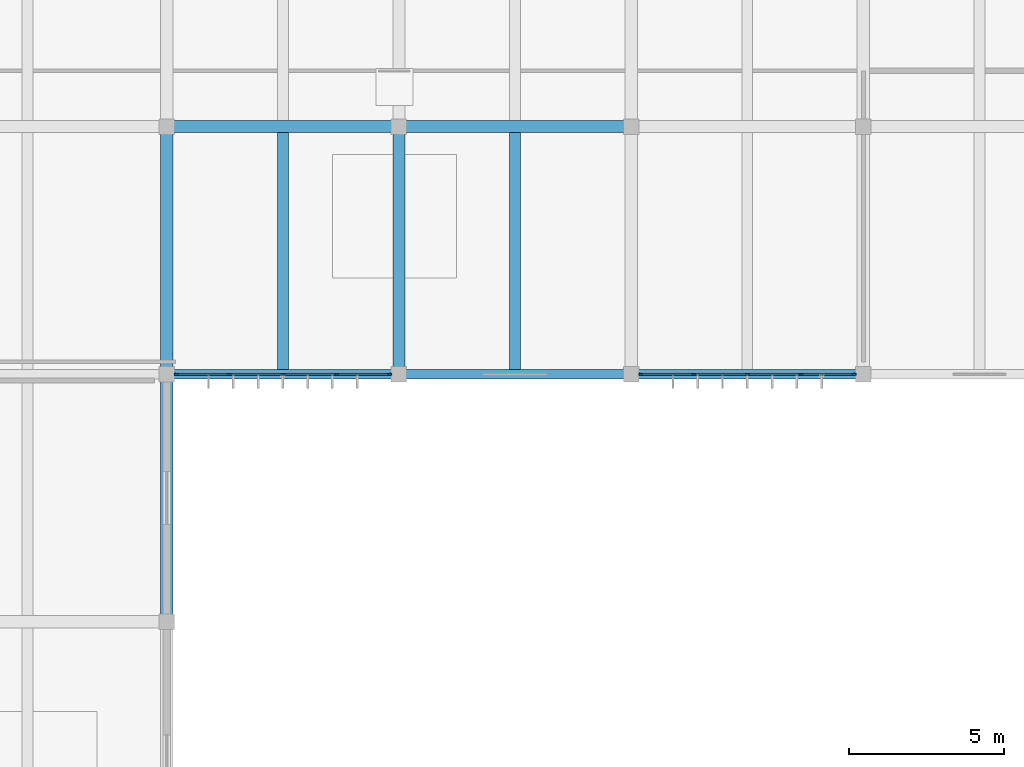
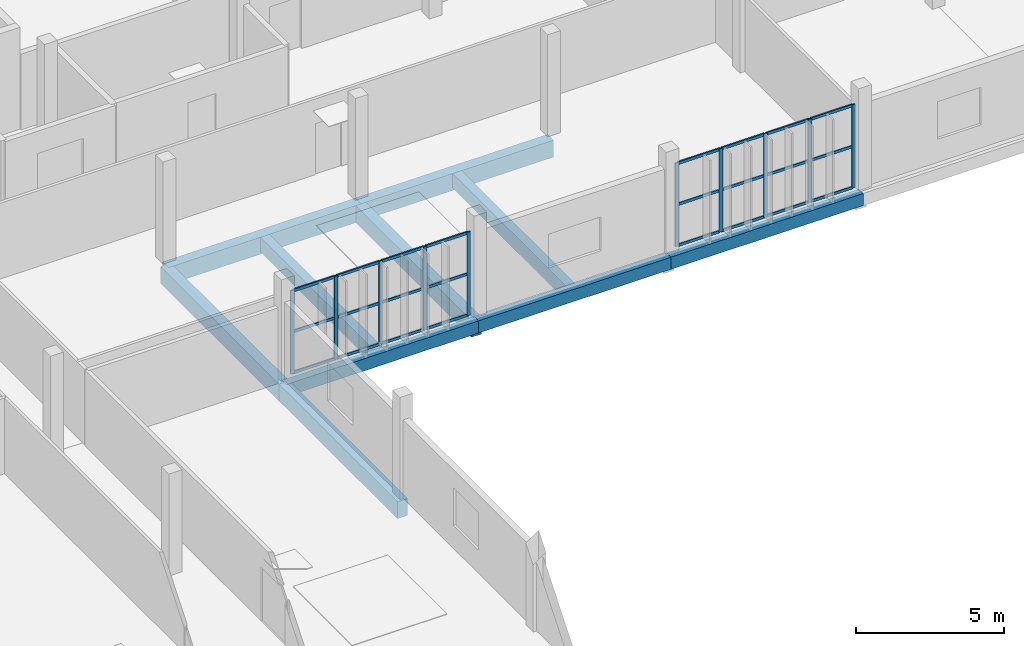
# One storey, part 5 of 27: 34 members, 10 beams, 2 elements without a shape of their own.
"""IFC4 building model written with IfcOpenShell, lengths in metres."""

from ifc_helpers import new_model, si_unit, direction, frame, origin, origin_2d, place, context, subcontext, project, spatial, rectangle, extrude, material, material_profile, profile_set, type_object, element, aggregate, save


model = new_model("IFC4")

# Units and contexts
model_context = context("Model", 3, precision=1e-05, world=origin(), true_north=direction((0.0, 1.0)))
body_context = subcontext(model_context, "Body", "Model", "MODEL_VIEW")
ifc_project = project(units=[si_unit("LENGTHUNIT", "METRE"), si_unit("AREAUNIT", "SQUARE_METRE"), si_unit("VOLUMEUNIT", "CUBIC_METRE"), si_unit("PLANEANGLEUNIT", "RADIAN"), si_unit("MASSUNIT", "GRAM", prefix="KILO")], contexts=[model_context])

# Site, building, storey
site_placement = place(None, origin())
site = spatial("IfcSite", under=ifc_project, at=site_placement, CompositionType="ELEMENT")
building_placement = place(site_placement, origin())
building = spatial("IfcBuilding", under=site, at=building_placement, Name="Vourika Railside Aquatics Centre", CompositionType="ELEMENT")
storey_placement = place(building_placement, frame((0.0, 0.0, 13.5)))
storey = spatial("IfcBuildingStorey", under=building, at=storey_placement, Name="L03", CompositionType="ELEMENT", Elevation=13.5)

# Beams
ifc_material_1 = material(Name="Concrete C35/45", Category="concrete")
ifc_material_profile_1 = material_profile(ifc_material_1, rectangle(XDim=0.39990234375, YDim=0.699951171875, at=origin_2d()), Name="RC 400x700")
ifc_profile_set_1 = profile_set([ifc_material_profile_1], Name="Concrete C35/45")
beam_type_1 = type_object("IfcBeamType", Name="BM-GIRD-400x700", PredefinedType="BEAM", material=ifc_profile_set_1)
for number, where, z_axis, x_axis, name in (
    (1, (36.0, 100.0, -0.610107421875), (1.0, 0.0, 0.0), (0.0, 1.0, 0.0), "Floor Beam GX-L03-057"),
    (2, (43.5, 100.0, -0.610107421875), (1.0, 0.0, 0.0), (0.0, 1.0, 0.0), "Floor Beam GX-L03-058"),
):
    element("IfcBeam", number, at=place(storey_placement, frame(where, z_axis=z_axis, x_axis=x_axis)), inside=storey, type_object=beam_type_1, Name=name, PredefinedType="BEAM", context=body_context, shape_type="SweptSolid", body=[
        extrude(rectangle(XDim=0.39990234375, YDim=0.699951171875, at=origin_2d()), origin(), (0.0, 0.0, 1.0), 7.5),
    ])
for number, where, z_axis, x_axis, name in (
    (3, (36.0, 84.0, -0.610107421875), (0.0, 1.0, 0.0), (-1.0, 0.0, 0.0), "Floor Girder GY-L03-124"),
    (4, (36.0, 92.0, -0.610107421875), (0.0, 1.0, 0.0), (-1.0, 0.0, 0.0), "Floor Girder GY-L03-125"),
    (5, (43.5, 92.0, -0.610107421875), (0.0, 1.0, 0.0), (-1.0, 0.0, 0.0), "Floor Girder GY-L03-128"),
):
    element("IfcBeam", number, at=place(storey_placement, frame(where, z_axis=z_axis, x_axis=x_axis)), inside=storey, type_object=beam_type_1, Name=name, PredefinedType="BEAM", context=body_context, shape_type="SweptSolid", body=[
        extrude(rectangle(XDim=0.39990234375, YDim=0.699951171875, at=origin_2d()), origin(), (0.0, 0.0, 1.0), 8.0),
    ])
ifc_material_profile_2 = material_profile(ifc_material_1, rectangle(XDim=0.35009765625, YDim=0.60009765625, at=origin_2d()), Name="RC 350x600")
ifc_profile_set_2 = profile_set([ifc_material_profile_2], Name="Concrete C35/45")
beam_type_2 = type_object("IfcBeamType", Name="BM-SEC-350x600", PredefinedType="JOIST", material=ifc_profile_set_2)
for number, where, z_axis, x_axis, name in (
    (6, (39.75, 92.14990234375, -0.56005859375), (0.0, 1.0, 0.0), (-1.0, 0.0, 0.0), "Secondary Joist JY-L03-216"),
    (7, (47.25, 92.14990234375, -0.56005859375), (0.0, 1.0, 0.0), (-1.0, 0.0, 0.0), "Secondary Joist JY-L03-217"),
):
    element("IfcBeam", number, at=place(storey_placement, frame(where, z_axis=z_axis, x_axis=x_axis)), inside=storey, type_object=beam_type_2, Name=name, PredefinedType="JOIST", context=body_context, shape_type="SweptSolid", body=[
        extrude(rectangle(XDim=0.35009765625, YDim=0.60009765625, at=origin_2d()), origin(), (0.0, 0.0, 1.0), 7.650146484375),
    ])
ifc_material_profile_3 = material_profile(ifc_material_1, rectangle(XDim=0.300048828125, YDim=0.5, at=origin_2d()), Name="RC 300x500")
ifc_profile_set_3 = profile_set([ifc_material_profile_3], Name="Concrete C35/45")
beam_type_3 = type_object("IfcBeamType", Name="BM-SPAN-300x500", PredefinedType="SPANDREL", material=ifc_profile_set_3)
for number, where, z_axis, x_axis, name in (
    (8, (36.0, 92.0, -0.510009765625), (1.0, 0.0, 0.0), (0.0, 1.0, 0.0), "Floor Beam GX-L03-038"),
    (9, (43.5, 92.0, -0.510009765625), (1.0, 0.0, 0.0), (0.0, 1.0, 0.0), "Floor Beam GX-L03-039"),
    (10, (51.0, 92.0, -0.510009765625), (1.0, 0.0, 0.0), (0.0, 1.0, 0.0), "Floor Beam GX-L03-040"),
):
    element("IfcBeam", number, at=place(storey_placement, frame(where, z_axis=z_axis, x_axis=x_axis)), inside=storey, type_object=beam_type_3, Name=name, PredefinedType="SPANDREL", context=body_context, shape_type="SweptSolid", body=[
        extrude(rectangle(XDim=0.300048828125, YDim=0.5, at=origin_2d()), origin(), (0.0, 0.0, 1.0), 7.5),
    ])

# Curtain wall, members
ifc_material_2 = material(Name="Anodized thermally broken aluminium", Category="aluminium")
curtain_wall_type = type_object("IfcCurtainWallType", Name="CW-FIT3", PredefinedType="NOTDEFINED", material=ifc_material_2)
curtain_wall_1_placement = place(storey_placement, origin())
curtain_wall_1 = element("IfcCurtainWall", 11, at=curtain_wall_1_placement, inside=storey, type_object=curtain_wall_type, Name="Courtyard Fitness Curtain Wall L03-1", PredefinedType="NOTDEFINED")
ifc_material_3 = material(Name="Anodized aluminium mullion", Category="aluminium")
ifc_material_profile_4 = material_profile(ifc_material_3, rectangle(XDim=0.05810546875, YDim=0.14208984375, at=origin_2d()), Name="ALU-M 58x142")
ifc_profile_set_4 = profile_set([ifc_material_profile_4], Name="Anodized aluminium mullion")
member_type_1 = type_object("IfcMemberType", Name="CWM-FIT3", PredefinedType="MULLION", material=ifc_profile_set_4)
member_1_placement = place(storey_placement, frame((36.30908203125, 92.0, 0.0), z_axis=(0.0, 0.0, 1.0), x_axis=(0.0, 1.0, 0.0)))
member_1 = element("IfcMember", 12, at=member_1_placement, type_object=member_type_1, Name="CW17 mullion 1", PredefinedType="MULLION", context=body_context, shape_type="SweptSolid", body=[
    extrude(rectangle(XDim=0.05810546875, YDim=0.14208984375, at=origin_2d()), origin(), (0.0, 0.0, 1.0), 3.43994140625),
])
member_2_placement = place(storey_placement, frame((38.014892578125, 92.0, 0.0), z_axis=(0.0, 0.0, 1.0), x_axis=(0.0, 1.0, 0.0)))
member_2 = element("IfcMember", 13, at=member_2_placement, type_object=member_type_1, Name="CW17 mullion 2", PredefinedType="MULLION", context=body_context, shape_type="SweptSolid", body=[
    extrude(rectangle(XDim=0.05810546875, YDim=0.14208984375, at=origin_2d()), origin(), (0.0, 0.0, 1.0), 3.43994140625),
])
member_3_placement = place(storey_placement, frame((39.75, 92.0, 0.0), z_axis=(0.0, 0.0, 1.0), x_axis=(0.0, 1.0, 0.0)))
member_3 = element("IfcMember", 14, at=member_3_placement, type_object=member_type_1, Name="CW17 mullion 3", PredefinedType="MULLION", context=body_context, shape_type="SweptSolid", body=[
    extrude(rectangle(XDim=0.05810546875, YDim=0.14208984375, at=origin_2d()), origin(), (0.0, 0.0, 1.0), 3.43994140625),
])
member_4_placement = place(storey_placement, frame((41.485107421875, 92.0, 0.0), z_axis=(0.0, 0.0, 1.0), x_axis=(0.0, 1.0, 0.0)))
member_4 = element("IfcMember", 15, at=member_4_placement, type_object=member_type_1, Name="CW17 mullion 4", PredefinedType="MULLION", context=body_context, shape_type="SweptSolid", body=[
    extrude(rectangle(XDim=0.05810546875, YDim=0.14208984375, at=origin_2d()), origin(), (0.0, 0.0, 1.0), 3.43994140625),
])
member_5_placement = place(storey_placement, frame((43.19091796875, 92.0, 0.0), z_axis=(0.0, 0.0, 1.0), x_axis=(0.0, 1.0, 0.0)))
member_5 = element("IfcMember", 16, at=member_5_placement, type_object=member_type_1, Name="CW17 mullion 5", PredefinedType="MULLION", context=body_context, shape_type="SweptSolid", body=[
    extrude(rectangle(XDim=0.05810546875, YDim=0.14208984375, at=origin_2d()), origin(), (0.0, 0.0, 1.0), 3.43994140625),
])

curtain_wall_2_placement = place(storey_placement, origin())
curtain_wall_2 = element("IfcCurtainWall", 17, at=curtain_wall_2_placement, inside=storey, type_object=curtain_wall_type, Name="Courtyard Fitness Curtain Wall L03-3", PredefinedType="NOTDEFINED")
member_6_placement = place(storey_placement, frame((51.30908203125, 92.0, 0.0), z_axis=(0.0, 0.0, 1.0), x_axis=(0.0, 1.0, 0.0)))
member_6 = element("IfcMember", 18, at=member_6_placement, type_object=member_type_1, Name="CW17 mullion 1", PredefinedType="MULLION", context=body_context, shape_type="SweptSolid", body=[
    extrude(rectangle(XDim=0.05810546875, YDim=0.14208984375, at=origin_2d()), origin(), (0.0, 0.0, 1.0), 3.43994140625),
])
member_7_placement = place(storey_placement, frame((53.014892578125, 92.0, 0.0), z_axis=(0.0, 0.0, 1.0), x_axis=(0.0, 1.0, 0.0)))
member_7 = element("IfcMember", 19, at=member_7_placement, type_object=member_type_1, Name="CW17 mullion 2", PredefinedType="MULLION", context=body_context, shape_type="SweptSolid", body=[
    extrude(rectangle(XDim=0.05810546875, YDim=0.14208984375, at=origin_2d()), origin(), (0.0, 0.0, 1.0), 3.43994140625),
])
member_8_placement = place(storey_placement, frame((54.75, 92.0, 0.0), z_axis=(0.0, 0.0, 1.0), x_axis=(0.0, 1.0, 0.0)))
member_8 = element("IfcMember", 20, at=member_8_placement, type_object=member_type_1, Name="CW17 mullion 3", PredefinedType="MULLION", context=body_context, shape_type="SweptSolid", body=[
    extrude(rectangle(XDim=0.05810546875, YDim=0.14208984375, at=origin_2d()), origin(), (0.0, 0.0, 1.0), 3.43994140625),
])
member_9_placement = place(storey_placement, frame((56.485107421875, 92.0, 0.0), z_axis=(0.0, 0.0, 1.0), x_axis=(0.0, 1.0, 0.0)))
member_9 = element("IfcMember", 21, at=member_9_placement, type_object=member_type_1, Name="CW17 mullion 4", PredefinedType="MULLION", context=body_context, shape_type="SweptSolid", body=[
    extrude(rectangle(XDim=0.05810546875, YDim=0.14208984375, at=origin_2d()), origin(), (0.0, 0.0, 1.0), 3.43994140625),
])
member_10_placement = place(storey_placement, frame((58.19091796875, 92.0, 0.0), z_axis=(0.0, 0.0, 1.0), x_axis=(0.0, 1.0, 0.0)))
member_10 = element("IfcMember", 22, at=member_10_placement, type_object=member_type_1, Name="CW17 mullion 5", PredefinedType="MULLION", context=body_context, shape_type="SweptSolid", body=[
    extrude(rectangle(XDim=0.05810546875, YDim=0.14208984375, at=origin_2d()), origin(), (0.0, 0.0, 1.0), 3.43994140625),
])

# Member
ifc_material_4 = material(Name="Anodized aluminium transom", Category="aluminium")
ifc_material_profile_5 = material_profile(ifc_material_4, rectangle(XDim=0.05810546875, YDim=0.112060546875, at=origin_2d()), Name="ALU-T 58x112")
ifc_profile_set_5 = profile_set([ifc_material_profile_5], Name="Anodized aluminium transom")
member_type_2 = type_object("IfcMemberType", Name="CWT-FIT3", PredefinedType="USERDEFINED", material=ifc_profile_set_5)
member_11_placement = place(storey_placement, frame((36.337890625, 92.0, 0.029052734375), z_axis=(1.0, 0.0, 0.0), x_axis=(0.0, 1.0, 0.0)))
member_11 = element("IfcMember", 23, at=member_11_placement, type_object=member_type_2, Name="CW17 transom 1.1", ObjectType="TRANSOM", PredefinedType="USERDEFINED", context=body_context, shape_type="SweptSolid", body=[
    extrude(rectangle(XDim=0.05810546875, YDim=0.112060546875, at=origin_2d()), origin(), (0.0, 0.0, 1.0), 1.648193359375),
])

member_12_placement = place(storey_placement, frame((36.337890625, 92.0, 1.719970703125), z_axis=(1.0, 0.0, 0.0), x_axis=(0.0, 1.0, 0.0)))
member_12 = element("IfcMember", 24, at=member_12_placement, type_object=member_type_2, Name="CW17 transom 1.2", ObjectType="TRANSOM", PredefinedType="USERDEFINED", context=body_context, shape_type="SweptSolid", body=[
    extrude(rectangle(XDim=0.05810546875, YDim=0.112060546875, at=origin_2d()), origin(), (0.0, 0.0, 1.0), 1.648193359375),
])

member_13_placement = place(storey_placement, frame((36.337890625, 92.0, 3.410888671875), z_axis=(1.0, 0.0, 0.0), x_axis=(0.0, 1.0, 0.0)))
member_13 = element("IfcMember", 25, at=member_13_placement, type_object=member_type_2, Name="CW17 transom 1.3", ObjectType="TRANSOM", PredefinedType="USERDEFINED", context=body_context, shape_type="SweptSolid", body=[
    extrude(rectangle(XDim=0.05810546875, YDim=0.112060546875, at=origin_2d()), origin(), (0.0, 0.0, 1.0), 1.648193359375),
])

member_14_placement = place(storey_placement, frame((38.0439453125, 92.0, 0.029052734375), z_axis=(1.0, 0.0, 0.0), x_axis=(0.0, 1.0, 0.0)))
member_14 = element("IfcMember", 26, at=member_14_placement, type_object=member_type_2, Name="CW17 transom 2.1", ObjectType="TRANSOM", PredefinedType="USERDEFINED", context=body_context, shape_type="SweptSolid", body=[
    extrude(rectangle(XDim=0.05810546875, YDim=0.112060546875, at=origin_2d()), origin(), (0.0, 0.0, 1.0), 1.677001953125),
])

member_15_placement = place(storey_placement, frame((38.0439453125, 92.0, 1.719970703125), z_axis=(1.0, 0.0, 0.0), x_axis=(0.0, 1.0, 0.0)))
member_15 = element("IfcMember", 27, at=member_15_placement, type_object=member_type_2, Name="CW17 transom 2.2", ObjectType="TRANSOM", PredefinedType="USERDEFINED", context=body_context, shape_type="SweptSolid", body=[
    extrude(rectangle(XDim=0.05810546875, YDim=0.112060546875, at=origin_2d()), origin(), (0.0, 0.0, 1.0), 1.677001953125),
])

member_16_placement = place(storey_placement, frame((38.0439453125, 92.0, 3.410888671875), z_axis=(1.0, 0.0, 0.0), x_axis=(0.0, 1.0, 0.0)))
member_16 = element("IfcMember", 28, at=member_16_placement, type_object=member_type_2, Name="CW17 transom 2.3", ObjectType="TRANSOM", PredefinedType="USERDEFINED", context=body_context, shape_type="SweptSolid", body=[
    extrude(rectangle(XDim=0.05810546875, YDim=0.112060546875, at=origin_2d()), origin(), (0.0, 0.0, 1.0), 1.677001953125),
])

member_17_placement = place(storey_placement, frame((39.779052734375, 92.0, 0.029052734375), z_axis=(1.0, 0.0, 0.0), x_axis=(0.0, 1.0, 0.0)))
member_17 = element("IfcMember", 29, at=member_17_placement, type_object=member_type_2, Name="CW17 transom 3.1", ObjectType="TRANSOM", PredefinedType="USERDEFINED", context=body_context, shape_type="SweptSolid", body=[
    extrude(rectangle(XDim=0.05810546875, YDim=0.112060546875, at=origin_2d()), origin(), (0.0, 0.0, 1.0), 1.677001953125),
])

member_18_placement = place(storey_placement, frame((39.779052734375, 92.0, 1.719970703125), z_axis=(1.0, 0.0, 0.0), x_axis=(0.0, 1.0, 0.0)))
member_18 = element("IfcMember", 30, at=member_18_placement, type_object=member_type_2, Name="CW17 transom 3.2", ObjectType="TRANSOM", PredefinedType="USERDEFINED", context=body_context, shape_type="SweptSolid", body=[
    extrude(rectangle(XDim=0.05810546875, YDim=0.112060546875, at=origin_2d()), origin(), (0.0, 0.0, 1.0), 1.677001953125),
])

member_19_placement = place(storey_placement, frame((39.779052734375, 92.0, 3.410888671875), z_axis=(1.0, 0.0, 0.0), x_axis=(0.0, 1.0, 0.0)))
member_19 = element("IfcMember", 31, at=member_19_placement, type_object=member_type_2, Name="CW17 transom 3.3", ObjectType="TRANSOM", PredefinedType="USERDEFINED", context=body_context, shape_type="SweptSolid", body=[
    extrude(rectangle(XDim=0.05810546875, YDim=0.112060546875, at=origin_2d()), origin(), (0.0, 0.0, 1.0), 1.677001953125),
])

member_20_placement = place(storey_placement, frame((41.513916015625, 92.0, 0.029052734375), z_axis=(1.0, 0.0, 0.0), x_axis=(0.0, 1.0, 0.0)))
member_20 = element("IfcMember", 32, at=member_20_placement, type_object=member_type_2, Name="CW17 transom 4.1", ObjectType="TRANSOM", PredefinedType="USERDEFINED", context=body_context, shape_type="SweptSolid", body=[
    extrude(rectangle(XDim=0.05810546875, YDim=0.112060546875, at=origin_2d()), origin(), (0.0, 0.0, 1.0), 1.648193359375),
])

member_21_placement = place(storey_placement, frame((41.513916015625, 92.0, 1.719970703125), z_axis=(1.0, 0.0, 0.0), x_axis=(0.0, 1.0, 0.0)))
member_21 = element("IfcMember", 33, at=member_21_placement, type_object=member_type_2, Name="CW17 transom 4.2", ObjectType="TRANSOM", PredefinedType="USERDEFINED", context=body_context, shape_type="SweptSolid", body=[
    extrude(rectangle(XDim=0.05810546875, YDim=0.112060546875, at=origin_2d()), origin(), (0.0, 0.0, 1.0), 1.648193359375),
])

member_22_placement = place(storey_placement, frame((41.513916015625, 92.0, 3.410888671875), z_axis=(1.0, 0.0, 0.0), x_axis=(0.0, 1.0, 0.0)))
member_22 = element("IfcMember", 34, at=member_22_placement, type_object=member_type_2, Name="CW17 transom 4.3", ObjectType="TRANSOM", PredefinedType="USERDEFINED", context=body_context, shape_type="SweptSolid", body=[
    extrude(rectangle(XDim=0.05810546875, YDim=0.112060546875, at=origin_2d()), origin(), (0.0, 0.0, 1.0), 1.648193359375),
])

aggregate(curtain_wall_1, [member_1, member_2, member_3, member_4, member_5, member_11, member_12, member_13, member_14, member_15, member_16, member_17, member_18, member_19, member_20, member_21, member_22])

member_23_placement = place(storey_placement, frame((51.337890625, 92.0, 0.029052734375), z_axis=(1.0, 0.0, 0.0), x_axis=(0.0, 1.0, 0.0)))
member_23 = element("IfcMember", 35, at=member_23_placement, type_object=member_type_2, Name="CW17 transom 1.1", ObjectType="TRANSOM", PredefinedType="USERDEFINED", context=body_context, shape_type="SweptSolid", body=[
    extrude(rectangle(XDim=0.05810546875, YDim=0.112060546875, at=origin_2d()), origin(), (0.0, 0.0, 1.0), 1.648193359375),
])

member_24_placement = place(storey_placement, frame((51.337890625, 92.0, 1.719970703125), z_axis=(1.0, 0.0, 0.0), x_axis=(0.0, 1.0, 0.0)))
member_24 = element("IfcMember", 36, at=member_24_placement, type_object=member_type_2, Name="CW17 transom 1.2", ObjectType="TRANSOM", PredefinedType="USERDEFINED", context=body_context, shape_type="SweptSolid", body=[
    extrude(rectangle(XDim=0.05810546875, YDim=0.112060546875, at=origin_2d()), origin(), (0.0, 0.0, 1.0), 1.648193359375),
])

member_25_placement = place(storey_placement, frame((51.337890625, 92.0, 3.410888671875), z_axis=(1.0, 0.0, 0.0), x_axis=(0.0, 1.0, 0.0)))
member_25 = element("IfcMember", 37, at=member_25_placement, type_object=member_type_2, Name="CW17 transom 1.3", ObjectType="TRANSOM", PredefinedType="USERDEFINED", context=body_context, shape_type="SweptSolid", body=[
    extrude(rectangle(XDim=0.05810546875, YDim=0.112060546875, at=origin_2d()), origin(), (0.0, 0.0, 1.0), 1.648193359375),
])

member_26_placement = place(storey_placement, frame((53.0439453125, 92.0, 0.029052734375), z_axis=(1.0, 0.0, 0.0), x_axis=(0.0, 1.0, 0.0)))
member_26 = element("IfcMember", 38, at=member_26_placement, type_object=member_type_2, Name="CW17 transom 2.1", ObjectType="TRANSOM", PredefinedType="USERDEFINED", context=body_context, shape_type="SweptSolid", body=[
    extrude(rectangle(XDim=0.05810546875, YDim=0.112060546875, at=origin_2d()), origin(), (0.0, 0.0, 1.0), 1.677001953125),
])

member_27_placement = place(storey_placement, frame((53.0439453125, 92.0, 1.719970703125), z_axis=(1.0, 0.0, 0.0), x_axis=(0.0, 1.0, 0.0)))
member_27 = element("IfcMember", 39, at=member_27_placement, type_object=member_type_2, Name="CW17 transom 2.2", ObjectType="TRANSOM", PredefinedType="USERDEFINED", context=body_context, shape_type="SweptSolid", body=[
    extrude(rectangle(XDim=0.05810546875, YDim=0.112060546875, at=origin_2d()), origin(), (0.0, 0.0, 1.0), 1.677001953125),
])

member_28_placement = place(storey_placement, frame((53.0439453125, 92.0, 3.410888671875), z_axis=(1.0, 0.0, 0.0), x_axis=(0.0, 1.0, 0.0)))
member_28 = element("IfcMember", 40, at=member_28_placement, type_object=member_type_2, Name="CW17 transom 2.3", ObjectType="TRANSOM", PredefinedType="USERDEFINED", context=body_context, shape_type="SweptSolid", body=[
    extrude(rectangle(XDim=0.05810546875, YDim=0.112060546875, at=origin_2d()), origin(), (0.0, 0.0, 1.0), 1.677001953125),
])

member_29_placement = place(storey_placement, frame((54.779052734375, 92.0, 0.029052734375), z_axis=(1.0, 0.0, 0.0), x_axis=(0.0, 1.0, 0.0)))
member_29 = element("IfcMember", 41, at=member_29_placement, type_object=member_type_2, Name="CW17 transom 3.1", ObjectType="TRANSOM", PredefinedType="USERDEFINED", context=body_context, shape_type="SweptSolid", body=[
    extrude(rectangle(XDim=0.05810546875, YDim=0.112060546875, at=origin_2d()), origin(), (0.0, 0.0, 1.0), 1.677001953125),
])

member_30_placement = place(storey_placement, frame((54.779052734375, 92.0, 1.719970703125), z_axis=(1.0, 0.0, 0.0), x_axis=(0.0, 1.0, 0.0)))
member_30 = element("IfcMember", 42, at=member_30_placement, type_object=member_type_2, Name="CW17 transom 3.2", ObjectType="TRANSOM", PredefinedType="USERDEFINED", context=body_context, shape_type="SweptSolid", body=[
    extrude(rectangle(XDim=0.05810546875, YDim=0.112060546875, at=origin_2d()), origin(), (0.0, 0.0, 1.0), 1.677001953125),
])

member_31_placement = place(storey_placement, frame((54.779052734375, 92.0, 3.410888671875), z_axis=(1.0, 0.0, 0.0), x_axis=(0.0, 1.0, 0.0)))
member_31 = element("IfcMember", 43, at=member_31_placement, type_object=member_type_2, Name="CW17 transom 3.3", ObjectType="TRANSOM", PredefinedType="USERDEFINED", context=body_context, shape_type="SweptSolid", body=[
    extrude(rectangle(XDim=0.05810546875, YDim=0.112060546875, at=origin_2d()), origin(), (0.0, 0.0, 1.0), 1.677001953125),
])

member_32_placement = place(storey_placement, frame((56.513916015625, 92.0, 0.029052734375), z_axis=(1.0, 0.0, 0.0), x_axis=(0.0, 1.0, 0.0)))
member_32 = element("IfcMember", 44, at=member_32_placement, type_object=member_type_2, Name="CW17 transom 4.1", ObjectType="TRANSOM", PredefinedType="USERDEFINED", context=body_context, shape_type="SweptSolid", body=[
    extrude(rectangle(XDim=0.05810546875, YDim=0.112060546875, at=origin_2d()), origin(), (0.0, 0.0, 1.0), 1.648193359375),
])

member_33_placement = place(storey_placement, frame((56.513916015625, 92.0, 1.719970703125), z_axis=(1.0, 0.0, 0.0), x_axis=(0.0, 1.0, 0.0)))
member_33 = element("IfcMember", 45, at=member_33_placement, type_object=member_type_2, Name="CW17 transom 4.2", ObjectType="TRANSOM", PredefinedType="USERDEFINED", context=body_context, shape_type="SweptSolid", body=[
    extrude(rectangle(XDim=0.05810546875, YDim=0.112060546875, at=origin_2d()), origin(), (0.0, 0.0, 1.0), 1.648193359375),
])

member_34_placement = place(storey_placement, frame((56.513916015625, 92.0, 3.410888671875), z_axis=(1.0, 0.0, 0.0), x_axis=(0.0, 1.0, 0.0)))
member_34 = element("IfcMember", 46, at=member_34_placement, type_object=member_type_2, Name="CW17 transom 4.3", ObjectType="TRANSOM", PredefinedType="USERDEFINED", context=body_context, shape_type="SweptSolid", body=[
    extrude(rectangle(XDim=0.05810546875, YDim=0.112060546875, at=origin_2d()), origin(), (0.0, 0.0, 1.0), 1.648193359375),
])

aggregate(curtain_wall_2, [member_6, member_7, member_8, member_9, member_10, member_23, member_24, member_25, member_26, member_27, member_28, member_29, member_30, member_31, member_32, member_33, member_34])

save(model, "model.ifc")
